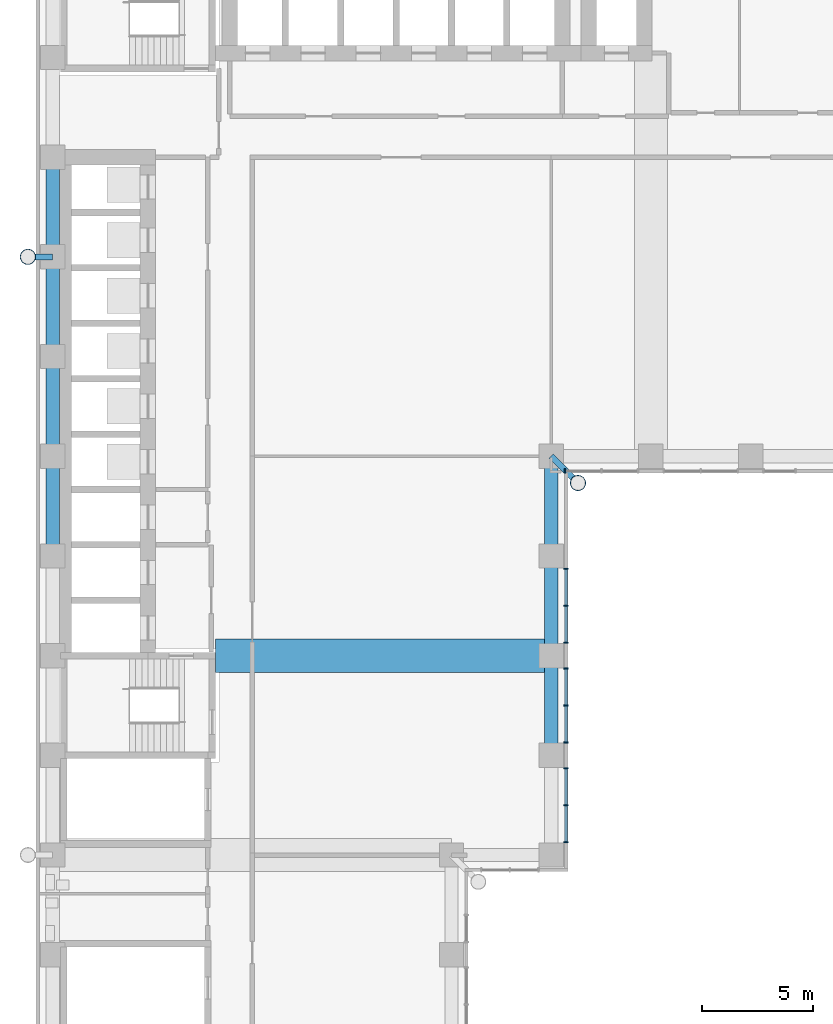
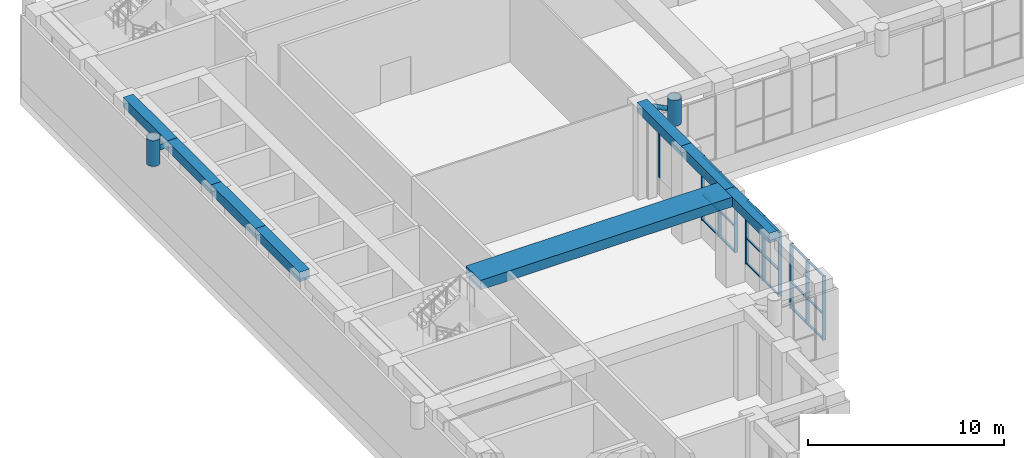
# One storey, part 3 of 22: 32 members, 8 beams, 4 elements without a shape of their own.
"""IFC4 building model written with IfcOpenShell, lengths in metres."""

from ifc_helpers import new_model, si_unit, direction, frame, origin, origin_2d, place, context, subcontext, project, spatial, rectangle, hollow_circle, extrude, material, material_profile, profile_set, type_object, element, aggregate, save


model = new_model("IFC4")

# Units and contexts
model_context = context("Model", 3, precision=1e-05, world=origin(), true_north=direction((0.0, 1.0)))
body_context = subcontext(model_context, "Body", "Model", "MODEL_VIEW")
ifc_project = project(units=[si_unit("LENGTHUNIT", "METRE"), si_unit("AREAUNIT", "SQUARE_METRE"), si_unit("VOLUMEUNIT", "CUBIC_METRE"), si_unit("PLANEANGLEUNIT", "RADIAN"), si_unit("MASSUNIT", "GRAM", prefix="KILO")], contexts=[model_context])

# Site, building, storey
site_placement = place(None, origin())
site = spatial("IfcSite", under=ifc_project, at=site_placement, CompositionType="ELEMENT")
building_placement = place(site_placement, origin())
building = spatial("IfcBuilding", under=site, at=building_placement, Name="Firuza Court", CompositionType="ELEMENT")
storey_placement = place(building_placement, frame((0.0, 0.0, 113.60009765625)))
storey = spatial("IfcBuildingStorey", under=building, at=storey_placement, Name="L28", CompositionType="ELEMENT", Elevation=113.60009765625)

# Beam
ifc_material_1 = material(Name="Concrete C40/50", Category="concrete")
ifc_material_profile_1 = material_profile(ifc_material_1, rectangle(XDim=1.5, YDim=0.60009765625, at=origin_2d()), Name="RC 1500x600")
ifc_profile_set_1 = profile_set([ifc_material_profile_1], Name="Concrete C40/50")
beam_type_1 = type_object("IfcBeamType", Name="Band beam RC 1500x600 C40/50", PredefinedType="BEAM", material=ifc_profile_set_1)
beam_placement = place(storey_placement, frame((22.5, 27.0, 5.39990234375), z_axis=(-1.0, 0.0, 0.0), x_axis=(0.0, -1.0, 0.0)))
element("IfcBeam", 1, at=beam_placement, inside=storey, type_object=beam_type_1, Name="Band beam FB3 level L29", PredefinedType="BEAM", context=body_context, shape_type="SweptSolid", body=[
    extrude(rectangle(XDim=1.5, YDim=0.60009765625, at=origin_2d()), origin(), (0.0, 0.0, 1.0), 15.14990234375),
])

# Members
ifc_material_2 = material(Name="Steel S355", Category="steel")
ifc_material_profile_2 = material_profile(ifc_material_2, hollow_circle(Radius=0.35546875, WallThickness=0.030029296875, at=origin_2d()), Name="CHS 711x30")
ifc_profile_set_2 = profile_set([ifc_material_profile_2], Name="Steel S355")
member_type_1 = type_object("IfcMemberType", Name="Diagrid node CHS 711x30 S355", PredefinedType="USERDEFINED", material=ifc_profile_set_2)
for number, where, z_axis, x_axis, name in (
    (2, (-1.1201171875, 45.0, 4.64990234375), (0.0, 0.0, 1.0), (1.0, 0.0, 0.0), "Diagrid node level L28"),
    (3, (23.7099609375, 34.7900390625, 4.64990234375), (0.0, 0.0, 1.0), (1.0, 0.0, 0.0), "Diagrid node level L28"),
):
    element("IfcMember", number, at=place(storey_placement, frame(where, z_axis=z_axis, x_axis=x_axis)), inside=storey, type_object=member_type_1, Name=name, ObjectType="DIAGRID NODE", PredefinedType="USERDEFINED", context=body_context, shape_type="SweptSolid", body=[
        extrude(hollow_circle(Radius=0.35546875, WallThickness=0.030029296875, at=origin_2d()), origin(), (0.0, 0.0, 1.0), 1.60009765625),
    ])
ifc_material_3 = material(Name="Steel S355", Category="steel")
ifc_material_profile_3 = material_profile(ifc_material_3, hollow_circle(Radius=0.136474609375, WallThickness=0.012451171875, at=origin_2d()), Name="CHS 273x12.5")
ifc_profile_set_3 = profile_set([ifc_material_profile_3], Name="Steel S355")
member_type_2 = type_object("IfcMemberType", Name="Diagrid tie CHS 273x12.5 S355", PredefinedType="STRUT", material=ifc_profile_set_3)
member_1_placement = place(storey_placement, frame((0.0, 45.0, 5.449951171875), z_axis=(-1.0, 0.0, 0.0), x_axis=(0.0, -1.0, 0.0)))
element("IfcMember", 4, at=member_1_placement, inside=storey, type_object=member_type_2, Name="Diagrid tie level L29", PredefinedType="STRUT", context=body_context, shape_type="SweptSolid", body=[
    extrude(hollow_circle(Radius=0.136474609375, WallThickness=0.012451171875, at=origin_2d()), origin(), (0.0, 0.0, 1.0), 1.1201171875),
])
member_2_placement = place(storey_placement, frame((22.5, 36.0, 5.449951171875), z_axis=(0.707106781187, -0.707106781187, 0.0), x_axis=(0.707106781187, 0.707106781187, 0.0)))
element("IfcMember", 5, at=member_2_placement, inside=storey, type_object=member_type_2, Name="Diagrid tie level L29", PredefinedType="STRUT", context=body_context, shape_type="SweptSolid", body=[
    extrude(hollow_circle(Radius=0.136474609375, WallThickness=0.012451171875, at=origin_2d()), origin(), (0.0, 0.0, 1.0), 1.711181640625),
])

# Curtain wall, members
ifc_material_4 = material(Name="Aluminium curtain wall, triple clear glazing", Category="aluminium")
curtain_wall_type = type_object("IfcCurtainWallType", Name="Sky floor unitised curtain wall CW3", PredefinedType="NOTDEFINED", material=ifc_material_4)
curtain_wall_1_placement = place(storey_placement, origin())
curtain_wall_1 = element("IfcCurtainWall", 6, at=curtain_wall_1_placement, inside=storey, type_object=curtain_wall_type, Name="Sky floor unitised curtain wall CW3 L28", PredefinedType="NOTDEFINED")
ifc_material_5 = material(Name="Aluminium EN AW-6060 T66", Category="aluminium")
ifc_material_profile_4 = material_profile(ifc_material_5, rectangle(XDim=0.199951171875, YDim=0.06005859375, at=origin_2d()), Name="Mullion 200 x 60 CW3")
ifc_profile_set_4 = profile_set([ifc_material_profile_4], Name="Aluminium EN AW-6060 T66")
member_type_3 = type_object("IfcMemberType", Name="Mullion 200 x 60 CW3", PredefinedType="MULLION", material=ifc_profile_set_4)
member_3_placement = place(storey_placement, frame((23.169921875, 18.580078125, 1.099853515625), z_axis=(0.0, 0.0, 1.0), x_axis=(-1.0, 0.0, 0.0)))
member_3 = element("IfcMember", 7, at=member_3_placement, type_object=member_type_3, Name="CW3 mullion 1", PredefinedType="MULLION", context=body_context, shape_type="SweptSolid", body=[
    extrude(rectangle(XDim=0.199951171875, YDim=0.06005859375, at=origin_2d()), origin(), (0.0, 0.0, 1.0), 4.0),
])
member_4_placement = place(storey_placement, frame((23.169921875, 20.25, 1.099853515625), z_axis=(0.0, 0.0, 1.0), x_axis=(-1.0, 0.0, 0.0)))
member_4 = element("IfcMember", 8, at=member_4_placement, type_object=member_type_3, Name="CW3 mullion 2", PredefinedType="MULLION", context=body_context, shape_type="SweptSolid", body=[
    extrude(rectangle(XDim=0.199951171875, YDim=0.06005859375, at=origin_2d()), origin(), (0.0, 0.0, 1.0), 4.0),
])
member_5_placement = place(storey_placement, frame((23.169921875, 21.919921875, 1.099853515625), z_axis=(0.0, 0.0, 1.0), x_axis=(-1.0, 0.0, 0.0)))
member_5 = element("IfcMember", 9, at=member_5_placement, type_object=member_type_3, Name="CW3 mullion 3", PredefinedType="MULLION", context=body_context, shape_type="SweptSolid", body=[
    extrude(rectangle(XDim=0.199951171875, YDim=0.06005859375, at=origin_2d()), origin(), (0.0, 0.0, 1.0), 4.0),
])

curtain_wall_2_placement = place(storey_placement, origin())
curtain_wall_2 = element("IfcCurtainWall", 10, at=curtain_wall_2_placement, inside=storey, type_object=curtain_wall_type, Name="Sky floor unitised curtain wall CW3 L28", PredefinedType="NOTDEFINED")
member_6_placement = place(storey_placement, frame((23.169921875, 23.080078125, 1.099853515625), z_axis=(0.0, 0.0, 1.0), x_axis=(-1.0, 0.0, 0.0)))
member_6 = element("IfcMember", 11, at=member_6_placement, type_object=member_type_3, Name="CW3 mullion 1", PredefinedType="MULLION", context=body_context, shape_type="SweptSolid", body=[
    extrude(rectangle(XDim=0.199951171875, YDim=0.06005859375, at=origin_2d()), origin(), (0.0, 0.0, 1.0), 4.0),
])
member_7_placement = place(storey_placement, frame((23.169921875, 24.75, 1.099853515625), z_axis=(0.0, 0.0, 1.0), x_axis=(-1.0, 0.0, 0.0)))
member_7 = element("IfcMember", 12, at=member_7_placement, type_object=member_type_3, Name="CW3 mullion 2", PredefinedType="MULLION", context=body_context, shape_type="SweptSolid", body=[
    extrude(rectangle(XDim=0.199951171875, YDim=0.06005859375, at=origin_2d()), origin(), (0.0, 0.0, 1.0), 4.0),
])
member_8_placement = place(storey_placement, frame((23.169921875, 26.419921875, 1.099853515625), z_axis=(0.0, 0.0, 1.0), x_axis=(-1.0, 0.0, 0.0)))
member_8 = element("IfcMember", 13, at=member_8_placement, type_object=member_type_3, Name="CW3 mullion 3", PredefinedType="MULLION", context=body_context, shape_type="SweptSolid", body=[
    extrude(rectangle(XDim=0.199951171875, YDim=0.06005859375, at=origin_2d()), origin(), (0.0, 0.0, 1.0), 4.0),
])

curtain_wall_3_placement = place(storey_placement, origin())
curtain_wall_3 = element("IfcCurtainWall", 14, at=curtain_wall_3_placement, inside=storey, type_object=curtain_wall_type, Name="Sky floor unitised curtain wall CW3 L28", PredefinedType="NOTDEFINED")
member_9_placement = place(storey_placement, frame((23.169921875, 27.580078125, 1.099853515625), z_axis=(0.0, 0.0, 1.0), x_axis=(-1.0, 0.0, 0.0)))
member_9 = element("IfcMember", 15, at=member_9_placement, type_object=member_type_3, Name="CW3 mullion 1", PredefinedType="MULLION", context=body_context, shape_type="SweptSolid", body=[
    extrude(rectangle(XDim=0.199951171875, YDim=0.06005859375, at=origin_2d()), origin(), (0.0, 0.0, 1.0), 4.0),
])
member_10_placement = place(storey_placement, frame((23.169921875, 29.25, 1.099853515625), z_axis=(0.0, 0.0, 1.0), x_axis=(-1.0, 0.0, 0.0)))
member_10 = element("IfcMember", 16, at=member_10_placement, type_object=member_type_3, Name="CW3 mullion 2", PredefinedType="MULLION", context=body_context, shape_type="SweptSolid", body=[
    extrude(rectangle(XDim=0.199951171875, YDim=0.06005859375, at=origin_2d()), origin(), (0.0, 0.0, 1.0), 4.0),
])
member_11_placement = place(storey_placement, frame((23.169921875, 30.919921875, 1.099853515625), z_axis=(0.0, 0.0, 1.0), x_axis=(-1.0, 0.0, 0.0)))
member_11 = element("IfcMember", 17, at=member_11_placement, type_object=member_type_3, Name="CW3 mullion 3", PredefinedType="MULLION", context=body_context, shape_type="SweptSolid", body=[
    extrude(rectangle(XDim=0.199951171875, YDim=0.06005859375, at=origin_2d()), origin(), (0.0, 0.0, 1.0), 4.0),
])

# Curtain wall, member
curtain_wall_4_placement = place(storey_placement, origin())
curtain_wall_4 = element("IfcCurtainWall", 18, at=curtain_wall_4_placement, inside=storey, type_object=curtain_wall_type, Name="Sky floor unitised curtain wall CW3 L28", PredefinedType="NOTDEFINED")
member_12_placement = place(storey_placement, frame((23.1298828125, 35.330078125, 1.099853515625), z_axis=(0.0, 0.0, 1.0), x_axis=(0.0, 1.0, 0.0)))
member_12 = element("IfcMember", 19, at=member_12_placement, type_object=member_type_3, Name="CW3 mullion 1", PredefinedType="MULLION", context=body_context, shape_type="SweptSolid", body=[
    extrude(rectangle(XDim=0.199951171875, YDim=0.06005859375, at=origin_2d()), origin(), (0.0, 0.0, 1.0), 4.0),
])
aggregate(curtain_wall_4, [member_12])

# Beams
ifc_material_6 = material(Name="Concrete C40/50", Category="concrete")
ifc_material_profile_5 = material_profile(ifc_material_6, rectangle(XDim=0.60009765625, YDim=0.60009765625, at=origin_2d()), Name="RC 600x600")
ifc_profile_set_5 = profile_set([ifc_material_profile_5], Name="Concrete C40/50")
beam_type_2 = type_object("IfcBeamType", Name="Spandrel beam RC 600x600 C40/50", PredefinedType="BEAM", material=ifc_profile_set_5)
for number, where, z_axis, x_axis, name in (
    (20, (0.0, 36.0, 5.39990234375), (0.0, -1.0, 0.0), (1.0, 0.0, 0.0), "Spandrel beam SP11 level L29"),
    (21, (0.0, 40.5, 5.39990234375), (0.0, -1.0, 0.0), (1.0, 0.0, 0.0), "Spandrel beam SP11 level L29"),
    (22, (0.0, 45.0, 5.39990234375), (0.0, -1.0, 0.0), (1.0, 0.0, 0.0), "Spandrel beam SP11 level L29"),
    (23, (0.0, 49.5, 5.39990234375), (0.0, -1.0, 0.0), (1.0, 0.0, 0.0), "Spandrel beam SP11 level L29"),
    (24, (22.5, 22.5, 5.39990234375), (0.0, 1.0, 0.0), (-1.0, 0.0, 0.0), "Spandrel beam SP11 level L29"),
    (25, (22.5, 27.0, 5.39990234375), (0.0, 1.0, 0.0), (-1.0, 0.0, 0.0), "Spandrel beam SP11 level L29"),
    (26, (22.5, 31.5, 5.39990234375), (0.0, 1.0, 0.0), (-1.0, 0.0, 0.0), "Spandrel beam SP11 level L29"),
):
    element("IfcBeam", number, at=place(storey_placement, frame(where, z_axis=z_axis, x_axis=x_axis)), inside=storey, type_object=beam_type_2, Name=name, PredefinedType="BEAM", context=body_context, shape_type="SweptSolid", body=[
        extrude(rectangle(XDim=0.60009765625, YDim=0.60009765625, at=origin_2d()), origin(), (0.0, 0.0, 1.0), 4.5),
    ])

# Member
ifc_material_7 = material(Name="Aluminium EN AW-6060 T66", Category="aluminium")
ifc_material_profile_6 = material_profile(ifc_material_7, rectangle(XDim=0.1201171875, YDim=0.06005859375, at=origin_2d()), Name="Transom 120 x 60 CW3")
ifc_profile_set_6 = profile_set([ifc_material_profile_6], Name="Aluminium EN AW-6060 T66")
member_type_4 = type_object("IfcMemberType", Name="Transom 120 x 60 CW3", PredefinedType="USERDEFINED", material=ifc_profile_set_6)
member_13_placement = place(storey_placement, frame((23.169921875, 18.610107421875, 1.1298828125), z_axis=(0.0, 1.0, 0.0), x_axis=(-1.0, 0.0, 0.0)))
member_13 = element("IfcMember", 27, at=member_13_placement, type_object=member_type_4, Name="CW3 transom 1.1", ObjectType="TRANSOM", PredefinedType="USERDEFINED", context=body_context, shape_type="SweptSolid", body=[
    extrude(rectangle(XDim=0.1201171875, YDim=0.06005859375, at=origin_2d()), origin(), (0.0, 0.0, 1.0), 1.60986328125),
])

member_14_placement = place(storey_placement, frame((23.169921875, 18.610107421875, 2.699951171875), z_axis=(0.0, 1.0, 0.0), x_axis=(-1.0, 0.0, 0.0)))
member_14 = element("IfcMember", 28, at=member_14_placement, type_object=member_type_4, Name="CW3 transom 1.2", ObjectType="TRANSOM", PredefinedType="USERDEFINED", context=body_context, shape_type="SweptSolid", body=[
    extrude(rectangle(XDim=0.1201171875, YDim=0.06005859375, at=origin_2d()), origin(), (0.0, 0.0, 1.0), 1.60986328125),
])

member_15_placement = place(storey_placement, frame((23.169921875, 18.610107421875, 5.06982421875), z_axis=(0.0, 1.0, 0.0), x_axis=(-1.0, 0.0, 0.0)))
member_15 = element("IfcMember", 29, at=member_15_placement, type_object=member_type_4, Name="CW3 transom 1.3", ObjectType="TRANSOM", PredefinedType="USERDEFINED", context=body_context, shape_type="SweptSolid", body=[
    extrude(rectangle(XDim=0.1201171875, YDim=0.06005859375, at=origin_2d()), origin(), (0.0, 0.0, 1.0), 1.60986328125),
])

member_16_placement = place(storey_placement, frame((23.169921875, 20.280029296875, 1.1298828125), z_axis=(0.0, 1.0, 0.0), x_axis=(-1.0, 0.0, 0.0)))
member_16 = element("IfcMember", 30, at=member_16_placement, type_object=member_type_4, Name="CW3 transom 2.1", ObjectType="TRANSOM", PredefinedType="USERDEFINED", context=body_context, shape_type="SweptSolid", body=[
    extrude(rectangle(XDim=0.1201171875, YDim=0.06005859375, at=origin_2d()), origin(), (0.0, 0.0, 1.0), 1.60986328125),
])

member_17_placement = place(storey_placement, frame((23.169921875, 20.280029296875, 2.699951171875), z_axis=(0.0, 1.0, 0.0), x_axis=(-1.0, 0.0, 0.0)))
member_17 = element("IfcMember", 31, at=member_17_placement, type_object=member_type_4, Name="CW3 transom 2.2", ObjectType="TRANSOM", PredefinedType="USERDEFINED", context=body_context, shape_type="SweptSolid", body=[
    extrude(rectangle(XDim=0.1201171875, YDim=0.06005859375, at=origin_2d()), origin(), (0.0, 0.0, 1.0), 1.60986328125),
])

member_18_placement = place(storey_placement, frame((23.169921875, 20.280029296875, 5.06982421875), z_axis=(0.0, 1.0, 0.0), x_axis=(-1.0, 0.0, 0.0)))
member_18 = element("IfcMember", 32, at=member_18_placement, type_object=member_type_4, Name="CW3 transom 2.3", ObjectType="TRANSOM", PredefinedType="USERDEFINED", context=body_context, shape_type="SweptSolid", body=[
    extrude(rectangle(XDim=0.1201171875, YDim=0.06005859375, at=origin_2d()), origin(), (0.0, 0.0, 1.0), 1.60986328125),
])

aggregate(curtain_wall_1, [member_3, member_4, member_5, member_13, member_14, member_15, member_16, member_17, member_18])

member_19_placement = place(storey_placement, frame((23.169921875, 23.110107421875, 1.1298828125), z_axis=(0.0, 1.0, 0.0), x_axis=(-1.0, 0.0, 0.0)))
member_19 = element("IfcMember", 33, at=member_19_placement, type_object=member_type_4, Name="CW3 transom 1.1", ObjectType="TRANSOM", PredefinedType="USERDEFINED", context=body_context, shape_type="SweptSolid", body=[
    extrude(rectangle(XDim=0.1201171875, YDim=0.06005859375, at=origin_2d()), origin(), (0.0, 0.0, 1.0), 1.60986328125),
])

member_20_placement = place(storey_placement, frame((23.169921875, 23.110107421875, 2.699951171875), z_axis=(0.0, 1.0, 0.0), x_axis=(-1.0, 0.0, 0.0)))
member_20 = element("IfcMember", 34, at=member_20_placement, type_object=member_type_4, Name="CW3 transom 1.2", ObjectType="TRANSOM", PredefinedType="USERDEFINED", context=body_context, shape_type="SweptSolid", body=[
    extrude(rectangle(XDim=0.1201171875, YDim=0.06005859375, at=origin_2d()), origin(), (0.0, 0.0, 1.0), 1.60986328125),
])

member_21_placement = place(storey_placement, frame((23.169921875, 23.110107421875, 5.06982421875), z_axis=(0.0, 1.0, 0.0), x_axis=(-1.0, 0.0, 0.0)))
member_21 = element("IfcMember", 35, at=member_21_placement, type_object=member_type_4, Name="CW3 transom 1.3", ObjectType="TRANSOM", PredefinedType="USERDEFINED", context=body_context, shape_type="SweptSolid", body=[
    extrude(rectangle(XDim=0.1201171875, YDim=0.06005859375, at=origin_2d()), origin(), (0.0, 0.0, 1.0), 1.60986328125),
])

member_22_placement = place(storey_placement, frame((23.169921875, 24.780029296875, 1.1298828125), z_axis=(0.0, 1.0, 0.0), x_axis=(-1.0, 0.0, 0.0)))
member_22 = element("IfcMember", 36, at=member_22_placement, type_object=member_type_4, Name="CW3 transom 2.1", ObjectType="TRANSOM", PredefinedType="USERDEFINED", context=body_context, shape_type="SweptSolid", body=[
    extrude(rectangle(XDim=0.1201171875, YDim=0.06005859375, at=origin_2d()), origin(), (0.0, 0.0, 1.0), 1.60986328125),
])

member_23_placement = place(storey_placement, frame((23.169921875, 24.780029296875, 2.699951171875), z_axis=(0.0, 1.0, 0.0), x_axis=(-1.0, 0.0, 0.0)))
member_23 = element("IfcMember", 37, at=member_23_placement, type_object=member_type_4, Name="CW3 transom 2.2", ObjectType="TRANSOM", PredefinedType="USERDEFINED", context=body_context, shape_type="SweptSolid", body=[
    extrude(rectangle(XDim=0.1201171875, YDim=0.06005859375, at=origin_2d()), origin(), (0.0, 0.0, 1.0), 1.60986328125),
])

member_24_placement = place(storey_placement, frame((23.169921875, 24.780029296875, 5.06982421875), z_axis=(0.0, 1.0, 0.0), x_axis=(-1.0, 0.0, 0.0)))
member_24 = element("IfcMember", 38, at=member_24_placement, type_object=member_type_4, Name="CW3 transom 2.3", ObjectType="TRANSOM", PredefinedType="USERDEFINED", context=body_context, shape_type="SweptSolid", body=[
    extrude(rectangle(XDim=0.1201171875, YDim=0.06005859375, at=origin_2d()), origin(), (0.0, 0.0, 1.0), 1.60986328125),
])

aggregate(curtain_wall_2, [member_6, member_7, member_8, member_19, member_20, member_21, member_22, member_23, member_24])

member_25_placement = place(storey_placement, frame((23.169921875, 27.610107421875, 1.1298828125), z_axis=(0.0, 1.0, 0.0), x_axis=(-1.0, 0.0, 0.0)))
member_25 = element("IfcMember", 39, at=member_25_placement, type_object=member_type_4, Name="CW3 transom 1.1", ObjectType="TRANSOM", PredefinedType="USERDEFINED", context=body_context, shape_type="SweptSolid", body=[
    extrude(rectangle(XDim=0.1201171875, YDim=0.06005859375, at=origin_2d()), origin(), (0.0, 0.0, 1.0), 1.60986328125),
])

member_26_placement = place(storey_placement, frame((23.169921875, 27.610107421875, 2.699951171875), z_axis=(0.0, 1.0, 0.0), x_axis=(-1.0, 0.0, 0.0)))
member_26 = element("IfcMember", 40, at=member_26_placement, type_object=member_type_4, Name="CW3 transom 1.2", ObjectType="TRANSOM", PredefinedType="USERDEFINED", context=body_context, shape_type="SweptSolid", body=[
    extrude(rectangle(XDim=0.1201171875, YDim=0.06005859375, at=origin_2d()), origin(), (0.0, 0.0, 1.0), 1.60986328125),
])

member_27_placement = place(storey_placement, frame((23.169921875, 27.610107421875, 5.06982421875), z_axis=(0.0, 1.0, 0.0), x_axis=(-1.0, 0.0, 0.0)))
member_27 = element("IfcMember", 41, at=member_27_placement, type_object=member_type_4, Name="CW3 transom 1.3", ObjectType="TRANSOM", PredefinedType="USERDEFINED", context=body_context, shape_type="SweptSolid", body=[
    extrude(rectangle(XDim=0.1201171875, YDim=0.06005859375, at=origin_2d()), origin(), (0.0, 0.0, 1.0), 1.60986328125),
])

member_28_placement = place(storey_placement, frame((23.169921875, 29.280029296875, 1.1298828125), z_axis=(0.0, 1.0, 0.0), x_axis=(-1.0, 0.0, 0.0)))
member_28 = element("IfcMember", 42, at=member_28_placement, type_object=member_type_4, Name="CW3 transom 2.1", ObjectType="TRANSOM", PredefinedType="USERDEFINED", context=body_context, shape_type="SweptSolid", body=[
    extrude(rectangle(XDim=0.1201171875, YDim=0.06005859375, at=origin_2d()), origin(), (0.0, 0.0, 1.0), 1.60986328125),
])

member_29_placement = place(storey_placement, frame((23.169921875, 29.280029296875, 2.699951171875), z_axis=(0.0, 1.0, 0.0), x_axis=(-1.0, 0.0, 0.0)))
member_29 = element("IfcMember", 43, at=member_29_placement, type_object=member_type_4, Name="CW3 transom 2.2", ObjectType="TRANSOM", PredefinedType="USERDEFINED", context=body_context, shape_type="SweptSolid", body=[
    extrude(rectangle(XDim=0.1201171875, YDim=0.06005859375, at=origin_2d()), origin(), (0.0, 0.0, 1.0), 1.60986328125),
])

member_30_placement = place(storey_placement, frame((23.169921875, 29.280029296875, 5.06982421875), z_axis=(0.0, 1.0, 0.0), x_axis=(-1.0, 0.0, 0.0)))
member_30 = element("IfcMember", 44, at=member_30_placement, type_object=member_type_4, Name="CW3 transom 2.3", ObjectType="TRANSOM", PredefinedType="USERDEFINED", context=body_context, shape_type="SweptSolid", body=[
    extrude(rectangle(XDim=0.1201171875, YDim=0.06005859375, at=origin_2d()), origin(), (0.0, 0.0, 1.0), 1.60986328125),
])

aggregate(curtain_wall_3, [member_9, member_10, member_11, member_25, member_26, member_27, member_28, member_29, member_30])

save(model, "model.ifc")
